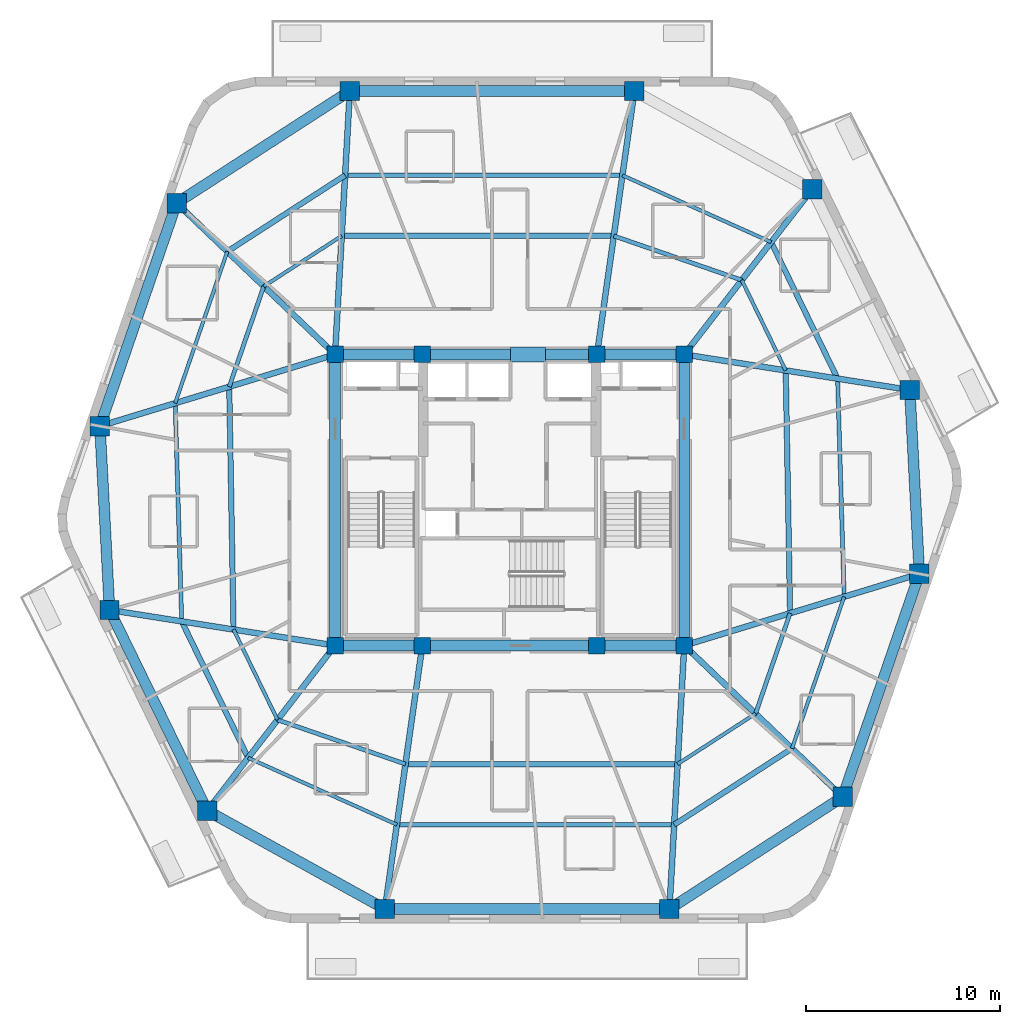
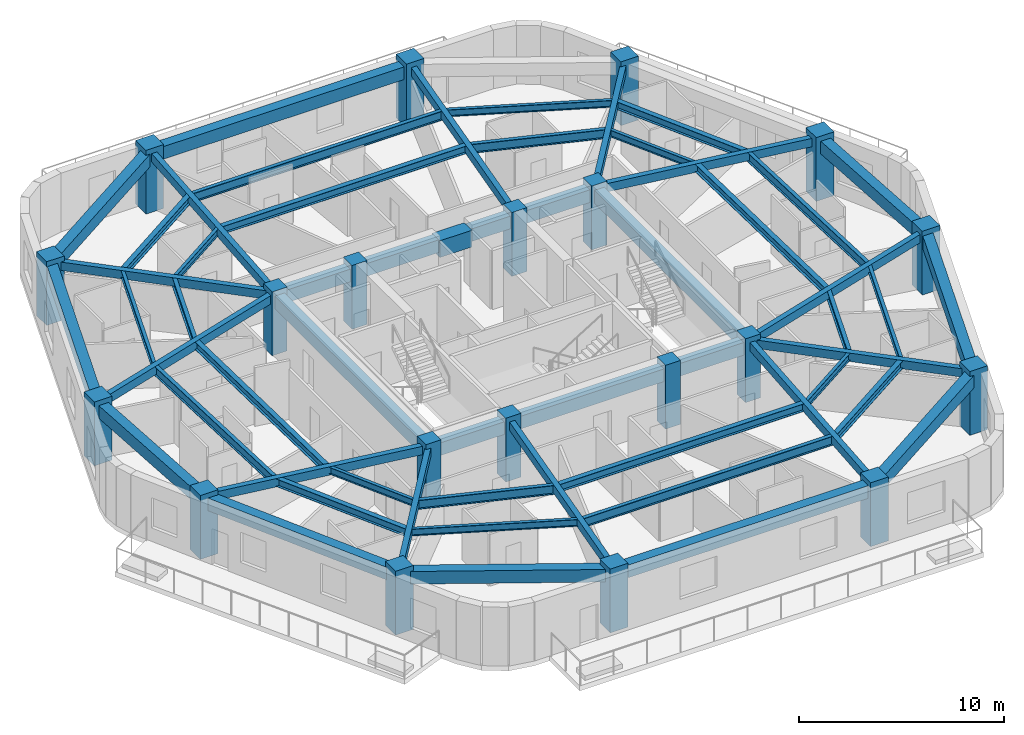
# One storey, part 1 of 10: 55 beams, 20 columns.
"""IFC4 building model written with IfcOpenShell, lengths in metres."""

from ifc_helpers import new_model, si_unit, direction, frame, origin, origin_2d, place, context, subcontext, project, spatial, rectangle, i_section, extrude, material, material_profile, profile_set, type_object, element, save


model = new_model("IFC4")

# Units and contexts
model_context = context("Model", 3, precision=1e-05, world=origin(), true_north=direction((0.0, 1.0)))
body_context = subcontext(model_context, "Body", "Model", "MODEL_VIEW")
ifc_project = project(units=[si_unit("LENGTHUNIT", "METRE"), si_unit("AREAUNIT", "SQUARE_METRE"), si_unit("VOLUMEUNIT", "CUBIC_METRE"), si_unit("PLANEANGLEUNIT", "RADIAN"), si_unit("MASSUNIT", "GRAM", prefix="KILO")], contexts=[model_context])

# Site, building, storey
site_placement = place(None, origin())
site = spatial("IfcSite", under=ifc_project, at=site_placement, CompositionType="ELEMENT")
building_placement = place(site_placement, origin())
building = spatial("IfcBuilding", under=site, at=building_placement, Name="Kilnhurst Terrace Hotel", CompositionType="ELEMENT")
storey_placement = place(building_placement, frame((0.0, 0.0, 248.300048828125)))
storey = spatial("IfcBuildingStorey", under=building, at=storey_placement, Name="L62", CompositionType="ELEMENT", Elevation=248.300048828125)

# Columns
ifc_material_1 = material(Name="Concrete C60/75", Category="concrete")
ifc_material_profile_1 = material_profile(ifc_material_1, rectangle(XDim=1.0, YDim=1.0, at=origin_2d()), Name="RC1000X1000")
ifc_profile_set_1 = profile_set([ifc_material_profile_1], Name="Concrete C60/75")
column_type_1 = type_object("IfcColumnType", Name="COL-RC-1000", PredefinedType="COLUMN", material=ifc_profile_set_1)
for number, where, z_axis, x_axis, name in (
    (1, (-6.429931640625, -21.080078125, 0.0), (0.0, 0.0, 1.0), (1.0, 0.0, 0.0), "L62 Structural Column PC-F11"),
    (2, (8.236083984375, -21.080078125, 0.0), (0.0, 0.0, 1.0), (1.0, 0.0, 0.0), "L62 Structural Column PC-F12"),
    (3, (17.166015625, -15.303955078125, 0.0), (0.0, 0.0, 1.0), (1.0, 0.0, 0.0), "L62 Structural Column PC-F21"),
    (4, (21.117919921875, -3.806884765625, 0.0), (0.0, 0.0, 1.0), (1.0, 0.0, 0.0), "L62 Structural Column PC-F22"),
    (5, (20.6220703125, 5.669921875, 0.0), (0.0, 0.0, 1.0), (1.0, 0.0, 0.0), "L62 Structural Column PC-F31"),
    (6, (15.5869140625, 16.012939453125, 0.0), (0.0, 0.0, 1.0), (1.0, 0.0, 0.0), "L62 Structural Column PC-F32"),
    (7, (6.429931640625, 21.080078125, 0.0), (0.0, 0.0, 1.0), (1.0, 0.0, 0.0), "L62 Structural Column PC-F41"),
    (8, (-8.236083984375, 21.080078125, 0.0), (0.0, 0.0, 1.0), (1.0, 0.0, 0.0), "L62 Structural Column PC-F42"),
    (9, (-17.166015625, 15.303955078125, 0.0), (0.0, 0.0, 1.0), (1.0, 0.0, 0.0), "L62 Structural Column PC-F51"),
    (10, (-21.117919921875, 3.806884765625, 0.0), (0.0, 0.0, 1.0), (1.0, 0.0, 0.0), "L62 Structural Column PC-F52"),
    (11, (-20.6220703125, -5.669921875, 0.0), (0.0, 0.0, 1.0), (1.0, 0.0, 0.0), "L62 Structural Column PC-F61"),
    (12, (-15.5869140625, -16.012939453125, 0.0), (0.0, 0.0, 1.0), (1.0, 0.0, 0.0), "L62 Structural Column PC-F62"),
):
    element("IfcColumn", number, at=place(storey_placement, frame(where, z_axis=z_axis, x_axis=x_axis)), inside=storey, type_object=column_type_1, Name=name, PredefinedType="COLUMN", context=body_context, shape_type="SweptSolid", body=[
        extrude(rectangle(XDim=1.0, YDim=1.0, at=origin_2d()), origin(), (0.0, 0.0, 1.0), 3.800048828125),
    ])
ifc_material_profile_2 = material_profile(ifc_material_1, rectangle(XDim=0.85009765625, YDim=0.85009765625, at=origin_2d()), Name="RC850X850")
ifc_profile_set_2 = profile_set([ifc_material_profile_2], Name="Concrete C60/75")
column_type_2 = type_object("IfcColumnType", Name="COL-RC-850", PredefinedType="COLUMN", material=ifc_profile_set_2)
for number, where, z_axis, x_axis, name in (
    (13, (-9.0, -7.5, 0.0), (0.0, 0.0, 1.0), (1.0, 0.0, 0.0), "L62 Structural Column CC-SW"),
    (14, (-4.5, -7.5, 0.0), (0.0, 0.0, 1.0), (1.0, 0.0, 0.0), "L62 Structural Column CC-SC1"),
    (15, (4.5, -7.5, 0.0), (0.0, 0.0, 1.0), (1.0, 0.0, 0.0), "L62 Structural Column CC-SC2"),
    (16, (9.0, -7.5, 0.0), (0.0, 0.0, 1.0), (1.0, 0.0, 0.0), "L62 Structural Column CC-SE"),
    (17, (9.0, 7.5, 0.0), (0.0, 0.0, 1.0), (1.0, 0.0, 0.0), "L62 Structural Column CC-NE"),
    (18, (4.5, 7.5, 0.0), (0.0, 0.0, 1.0), (1.0, 0.0, 0.0), "L62 Structural Column CC-NC2"),
    (19, (-4.5, 7.5, 0.0), (0.0, 0.0, 1.0), (1.0, 0.0, 0.0), "L62 Structural Column CC-NC1"),
    (20, (-9.0, 7.5, 0.0), (0.0, 0.0, 1.0), (1.0, 0.0, 0.0), "L62 Structural Column CC-NW"),
):
    element("IfcColumn", number, at=place(storey_placement, frame(where, z_axis=z_axis, x_axis=x_axis)), inside=storey, type_object=column_type_2, Name=name, PredefinedType="COLUMN", context=body_context, shape_type="SweptSolid", body=[
        extrude(rectangle(XDim=0.85009765625, YDim=0.85009765625, at=origin_2d()), origin(), (0.0, 0.0, 1.0), 3.800048828125),
    ])

# Beams
ifc_material_2 = material(Name="Concrete C50/60", Category="concrete")
ifc_material_profile_3 = material_profile(ifc_material_2, rectangle(XDim=0.300048828125, YDim=0.5, at=origin_2d()), Name="RC300X500")
ifc_profile_set_3 = profile_set([ifc_material_profile_3], Name="Concrete C50/60")
beam_type_1 = type_object("IfcBeamType", Name="BM-RAD-300X500", PredefinedType="BEAM", material=ifc_profile_set_3)
beam_1_placement = place(storey_placement, frame((-4.5, -7.5, 3.25), z_axis=(-0.140701170889, -0.990052109997, 0.0), x_axis=(0.990052109997, -0.140701170889, 0.0)))
element("IfcBeam", 21, at=beam_1_placement, inside=storey, type_object=beam_type_1, Name="L62 Radial Floor Beam 1", PredefinedType="BEAM", context=body_context, shape_type="SweptSolid", body=[
    extrude(rectangle(XDim=0.300048828125, YDim=0.5, at=origin_2d()), origin(), (0.0, 0.0, 1.0), 13.716552734375),
])
beam_2_placement = place(storey_placement, frame((9.0, -7.5, 3.25), z_axis=(-0.056163905291, -0.998421562138, 0.0), x_axis=(0.998421562138, -0.056163905291, 0.0)))
element("IfcBeam", 22, at=beam_2_placement, inside=storey, type_object=beam_type_1, Name="L62 Radial Floor Beam 2", PredefinedType="BEAM", context=body_context, shape_type="SweptSolid", body=[
    extrude(rectangle(XDim=0.300048828125, YDim=0.5, at=origin_2d()), origin(), (0.0, 0.0, 1.0), 13.6015625),
])
beam_3_placement = place(storey_placement, frame((9.0, -7.5, 3.25), z_axis=(0.722952064528, -0.690898192497, 0.0), x_axis=(0.690898192497, 0.722952064528, 0.0)))
element("IfcBeam", 23, at=beam_3_placement, inside=storey, type_object=beam_type_1, Name="L62 Radial Floor Beam 3", PredefinedType="BEAM", context=body_context, shape_type="SweptSolid", body=[
    extrude(rectangle(XDim=0.300048828125, YDim=0.5, at=origin_2d()), origin(), (0.0, 0.0, 1.0), 11.29541015625),
])
beam_4_placement = place(storey_placement, frame((9.0, -7.5, 3.25), z_axis=(0.956562713724, 0.291526627793, 0.0), x_axis=(-0.291526627793, 0.956562713724, 0.0)))
element("IfcBeam", 24, at=beam_4_placement, inside=storey, type_object=beam_type_1, Name="L62 Radial Floor Beam 4", PredefinedType="BEAM", context=body_context, shape_type="SweptSolid", body=[
    extrude(rectangle(XDim=0.300048828125, YDim=0.5, at=origin_2d()), origin(), (0.0, 0.0, 1.0), 12.668212890625),
])
beam_5_placement = place(storey_placement, frame((9.0, 7.5, 3.25), z_axis=(0.987828160163, -0.155549111179, 0.0), x_axis=(0.155549111179, 0.987828160163, 0.0)))
element("IfcBeam", 25, at=beam_5_placement, inside=storey, type_object=beam_type_1, Name="L62 Radial Floor Beam 5", PredefinedType="BEAM", context=body_context, shape_type="SweptSolid", body=[
    extrude(rectangle(XDim=0.300048828125, YDim=0.5, at=origin_2d()), origin(), (0.0, 0.0, 1.0), 11.765380859375),
])
beam_6_placement = place(storey_placement, frame((9.0, 7.5, 3.25), z_axis=(0.611955412533, 0.790892263884, 0.0), x_axis=(-0.790892263884, 0.611955412533, 0.0)))
element("IfcBeam", 26, at=beam_6_placement, inside=storey, type_object=beam_type_1, Name="L62 Radial Floor Beam 6", PredefinedType="BEAM", context=body_context, shape_type="SweptSolid", body=[
    extrude(rectangle(XDim=0.300048828125, YDim=0.5, at=origin_2d()), origin(), (0.0, 0.0, 1.0), 10.763671875),
])
beam_7_placement = place(storey_placement, frame((4.5, 7.5, 3.25), z_axis=(0.140701170889, 0.990052109997, 0.0), x_axis=(-0.990052109997, 0.140701170889, 0.0)))
element("IfcBeam", 27, at=beam_7_placement, inside=storey, type_object=beam_type_1, Name="L62 Radial Floor Beam 7", PredefinedType="BEAM", context=body_context, shape_type="SweptSolid", body=[
    extrude(rectangle(XDim=0.300048828125, YDim=0.5, at=origin_2d()), origin(), (0.0, 0.0, 1.0), 13.716552734375),
])
beam_8_placement = place(storey_placement, frame((-9.0, 7.5, 3.25), z_axis=(0.056163905291, 0.998421562138, 0.0), x_axis=(-0.998421562138, 0.056163905291, 0.0)))
element("IfcBeam", 28, at=beam_8_placement, inside=storey, type_object=beam_type_1, Name="L62 Radial Floor Beam 8", PredefinedType="BEAM", context=body_context, shape_type="SweptSolid", body=[
    extrude(rectangle(XDim=0.300048828125, YDim=0.5, at=origin_2d()), origin(), (0.0, 0.0, 1.0), 13.6015625),
])
beam_9_placement = place(storey_placement, frame((-9.0, 7.5, 3.25), z_axis=(-0.722952064528, 0.690898192497, 0.0), x_axis=(-0.690898192497, -0.722952064528, 0.0)))
element("IfcBeam", 29, at=beam_9_placement, inside=storey, type_object=beam_type_1, Name="L62 Radial Floor Beam 9", PredefinedType="BEAM", context=body_context, shape_type="SweptSolid", body=[
    extrude(rectangle(XDim=0.300048828125, YDim=0.5, at=origin_2d()), origin(), (0.0, 0.0, 1.0), 11.29541015625),
])
beam_10_placement = place(storey_placement, frame((-9.0, 7.5, 3.25), z_axis=(-0.956562713724, -0.291526627793, 0.0), x_axis=(0.291526627793, -0.956562713724, 0.0)))
element("IfcBeam", 30, at=beam_10_placement, inside=storey, type_object=beam_type_1, Name="L62 Radial Floor Beam 10", PredefinedType="BEAM", context=body_context, shape_type="SweptSolid", body=[
    extrude(rectangle(XDim=0.300048828125, YDim=0.5, at=origin_2d()), origin(), (0.0, 0.0, 1.0), 12.668212890625),
])
beam_11_placement = place(storey_placement, frame((-9.0, -7.5, 3.25), z_axis=(-0.987828160163, 0.155549111179, 0.0), x_axis=(-0.155549111179, -0.987828160163, 0.0)))
element("IfcBeam", 31, at=beam_11_placement, inside=storey, type_object=beam_type_1, Name="L62 Radial Floor Beam 11", PredefinedType="BEAM", context=body_context, shape_type="SweptSolid", body=[
    extrude(rectangle(XDim=0.300048828125, YDim=0.5, at=origin_2d()), origin(), (0.0, 0.0, 1.0), 11.765380859375),
])
beam_12_placement = place(storey_placement, frame((-9.0, -7.5, 3.25), z_axis=(-0.611955412533, -0.790892263884, 0.0), x_axis=(0.790892263884, -0.611955412533, 0.0)))
element("IfcBeam", 32, at=beam_12_placement, inside=storey, type_object=beam_type_1, Name="L62 Radial Floor Beam 12", PredefinedType="BEAM", context=body_context, shape_type="SweptSolid", body=[
    extrude(rectangle(XDim=0.300048828125, YDim=0.5, at=origin_2d()), origin(), (0.0, 0.0, 1.0), 10.763671875),
])
ifc_material_profile_4 = material_profile(ifc_material_2, rectangle(XDim=0.550048828125, YDim=0.75, at=origin_2d()), Name="RC550X750")
ifc_profile_set_4 = profile_set([ifc_material_profile_4], Name="Concrete C50/60")
beam_type_2 = type_object("IfcBeamType", Name="BM-SPN-550X750", PredefinedType="SPANDREL", material=ifc_profile_set_4)
beam_13_placement = place(storey_placement, frame((-9.0, 7.5, 3.125), z_axis=(1.0, 0.0, 0.0), x_axis=(0.0, 1.0, 0.0)))
element("IfcBeam", 33, at=beam_13_placement, inside=storey, type_object=beam_type_2, Name="L62 Core Tie Beam CC-NW to CC-NC1", PredefinedType="SPANDREL", context=body_context, shape_type="SweptSolid", body=[
    extrude(rectangle(XDim=0.550048828125, YDim=0.75, at=origin_2d()), origin(), (0.0, 0.0, 1.0), 4.5),
])
beam_14_placement = place(storey_placement, frame((-4.5, 7.5, 3.125), z_axis=(1.0, 0.0, 0.0), x_axis=(0.0, 1.0, 0.0)))
element("IfcBeam", 34, at=beam_14_placement, inside=storey, type_object=beam_type_2, Name="L62 Core Tie Beam CC-NC1 to CC-NC2", PredefinedType="SPANDREL", context=body_context, shape_type="SweptSolid", body=[
    extrude(rectangle(XDim=0.550048828125, YDim=0.75, at=origin_2d()), origin(), (0.0, 0.0, 1.0), 9.0),
])
for number, where, z_axis, x_axis, name in (
    (35, (4.5, 7.5, 3.125), (1.0, 0.0, 0.0), (0.0, 1.0, 0.0), "L62 Core Tie Beam CC-NC2 to CC-NE"),
    (36, (-9.0, -7.5, 3.125), (1.0, 0.0, 0.0), (0.0, 1.0, 0.0), "L62 Core Tie Beam CC-SW to CC-SC1"),
):
    element("IfcBeam", number, at=place(storey_placement, frame(where, z_axis=z_axis, x_axis=x_axis)), inside=storey, type_object=beam_type_2, Name=name, PredefinedType="SPANDREL", context=body_context, shape_type="SweptSolid", body=[
        extrude(rectangle(XDim=0.550048828125, YDim=0.75, at=origin_2d()), origin(), (0.0, 0.0, 1.0), 4.5),
    ])
beam_15_placement = place(storey_placement, frame((-4.5, -7.5, 3.125), z_axis=(1.0, 0.0, 0.0), x_axis=(0.0, 1.0, 0.0)))
element("IfcBeam", 37, at=beam_15_placement, inside=storey, type_object=beam_type_2, Name="L62 Core Tie Beam CC-SC1 to CC-SC2", PredefinedType="SPANDREL", context=body_context, shape_type="SweptSolid", body=[
    extrude(rectangle(XDim=0.550048828125, YDim=0.75, at=origin_2d()), origin(), (0.0, 0.0, 1.0), 9.0),
])
beam_16_placement = place(storey_placement, frame((4.5, -7.5, 3.125), z_axis=(1.0, 0.0, 0.0), x_axis=(0.0, 1.0, 0.0)))
element("IfcBeam", 38, at=beam_16_placement, inside=storey, type_object=beam_type_2, Name="L62 Core Tie Beam CC-SC2 to CC-SE", PredefinedType="SPANDREL", context=body_context, shape_type="SweptSolid", body=[
    extrude(rectangle(XDim=0.550048828125, YDim=0.75, at=origin_2d()), origin(), (0.0, 0.0, 1.0), 4.5),
])
for number, where, z_axis, x_axis, name in (
    (39, (-9.0, -7.5, 3.125), (0.0, 1.0, 0.0), (-1.0, 0.0, 0.0), "L62 Core Tie Beam CC-SW to CC-NW"),
    (40, (9.0, -7.5, 3.125), (0.0, 1.0, 0.0), (-1.0, 0.0, 0.0), "L62 Core Tie Beam CC-SE to CC-NE"),
):
    element("IfcBeam", number, at=place(storey_placement, frame(where, z_axis=z_axis, x_axis=x_axis)), inside=storey, type_object=beam_type_2, Name=name, PredefinedType="SPANDREL", context=body_context, shape_type="SweptSolid", body=[
        extrude(rectangle(XDim=0.550048828125, YDim=0.75, at=origin_2d()), origin(), (0.0, 0.0, 1.0), 15.0),
    ])
beam_17_placement = place(storey_placement, frame((-6.429931640625, -21.080078125, 3.125), z_axis=(1.0, 0.0, 0.0), x_axis=(0.0, 1.0, 0.0)))
element("IfcBeam", 41, at=beam_17_placement, inside=storey, type_object=beam_type_2, Name="L62 Perimeter Spandrel Beam 1", PredefinedType="SPANDREL", context=body_context, shape_type="SweptSolid", body=[
    extrude(rectangle(XDim=0.550048828125, YDim=0.75, at=origin_2d()), origin(), (0.0, 0.0, 1.0), 14.666015625),
])
beam_18_placement = place(storey_placement, frame((8.236083984375, -21.080078125, 3.125), z_axis=(0.839658834217, 0.543114207254, 0.0), x_axis=(-0.543114207254, 0.839658834217, 0.0)))
element("IfcBeam", 42, at=beam_18_placement, inside=storey, type_object=beam_type_2, Name="L62 Perimeter Spandrel Beam 2", PredefinedType="SPANDREL", context=body_context, shape_type="SweptSolid", body=[
    extrude(rectangle(XDim=0.550048828125, YDim=0.75, at=origin_2d()), origin(), (0.0, 0.0, 1.0), 10.63525390625),
])
beam_19_placement = place(storey_placement, frame((17.166015625, -15.303955078125, 3.125), z_axis=(0.325064053802, 0.94569200109, 0.0), x_axis=(-0.94569200109, 0.325064053802, 0.0)))
element("IfcBeam", 43, at=beam_19_placement, inside=storey, type_object=beam_type_2, Name="L62 Perimeter Spandrel Beam 3", PredefinedType="SPANDREL", context=body_context, shape_type="SweptSolid", body=[
    extrude(rectangle(XDim=0.550048828125, YDim=0.75, at=origin_2d()), origin(), (0.0, 0.0, 1.0), 12.1572265625),
])
beam_20_placement = place(storey_placement, frame((21.117919921875, -3.806884765625, 3.125), z_axis=(-0.052250962837, 0.998633985443, 0.0), x_axis=(-0.998633985443, -0.052250962837, 0.0)))
element("IfcBeam", 44, at=beam_20_placement, inside=storey, type_object=beam_type_2, Name="L62 Perimeter Spandrel Beam 4", PredefinedType="SPANDREL", context=body_context, shape_type="SweptSolid", body=[
    extrude(rectangle(XDim=0.550048828125, YDim=0.75, at=origin_2d()), origin(), (0.0, 0.0, 1.0), 9.48974609375),
])
beam_21_placement = place(storey_placement, frame((6.429931640625, 21.080078125, 3.125), z_axis=(-1.0, 0.0, 0.0), x_axis=(0.0, -1.0, 0.0)))
element("IfcBeam", 45, at=beam_21_placement, inside=storey, type_object=beam_type_2, Name="L62 Perimeter Spandrel Beam 7", PredefinedType="SPANDREL", context=body_context, shape_type="SweptSolid", body=[
    extrude(rectangle(XDim=0.550048828125, YDim=0.75, at=origin_2d()), origin(), (0.0, 0.0, 1.0), 14.666015625),
])
beam_22_placement = place(storey_placement, frame((-8.236083984375, 21.080078125, 3.125), z_axis=(-0.839658834217, -0.543114207254, 0.0), x_axis=(0.543114207254, -0.839658834217, 0.0)))
element("IfcBeam", 46, at=beam_22_placement, inside=storey, type_object=beam_type_2, Name="L62 Perimeter Spandrel Beam 8", PredefinedType="SPANDREL", context=body_context, shape_type="SweptSolid", body=[
    extrude(rectangle(XDim=0.550048828125, YDim=0.75, at=origin_2d()), origin(), (0.0, 0.0, 1.0), 10.63525390625),
])
beam_23_placement = place(storey_placement, frame((-17.166015625, 15.303955078125, 3.125), z_axis=(-0.325064053802, -0.94569200109, 0.0), x_axis=(0.94569200109, -0.325064053802, 0.0)))
element("IfcBeam", 47, at=beam_23_placement, inside=storey, type_object=beam_type_2, Name="L62 Perimeter Spandrel Beam 9", PredefinedType="SPANDREL", context=body_context, shape_type="SweptSolid", body=[
    extrude(rectangle(XDim=0.550048828125, YDim=0.75, at=origin_2d()), origin(), (0.0, 0.0, 1.0), 12.1572265625),
])
beam_24_placement = place(storey_placement, frame((-21.117919921875, 3.806884765625, 3.125), z_axis=(0.052250962837, -0.998633985443, 0.0), x_axis=(0.998633985443, 0.052250962837, 0.0)))
element("IfcBeam", 48, at=beam_24_placement, inside=storey, type_object=beam_type_2, Name="L62 Perimeter Spandrel Beam 10", PredefinedType="SPANDREL", context=body_context, shape_type="SweptSolid", body=[
    extrude(rectangle(XDim=0.550048828125, YDim=0.75, at=origin_2d()), origin(), (0.0, 0.0, 1.0), 9.48974609375),
])
beam_25_placement = place(storey_placement, frame((-20.6220703125, -5.669921875, 3.125), z_axis=(0.437705964683, -0.899118172701, 0.0), x_axis=(0.899118172701, 0.437705964683, 0.0)))
element("IfcBeam", 49, at=beam_25_placement, inside=storey, type_object=beam_type_2, Name="L62 Perimeter Spandrel Beam 11", PredefinedType="SPANDREL", context=body_context, shape_type="SweptSolid", body=[
    extrude(rectangle(XDim=0.550048828125, YDim=0.75, at=origin_2d()), origin(), (0.0, 0.0, 1.0), 11.50341796875),
])
beam_26_placement = place(storey_placement, frame((-15.5869140625, -16.012939453125, 3.125), z_axis=(0.874970333121, -0.484176534085, 0.0), x_axis=(0.484176534085, 0.874970333121, 0.0)))
element("IfcBeam", 50, at=beam_26_placement, inside=storey, type_object=beam_type_2, Name="L62 Perimeter Spandrel Beam 12", PredefinedType="SPANDREL", context=body_context, shape_type="SweptSolid", body=[
    extrude(rectangle(XDim=0.550048828125, YDim=0.75, at=origin_2d()), origin(), (0.0, 0.0, 1.0), 10.465576171875),
])
ifc_material_3 = material(Name="Steel ASTM A992 Grade 50", Category="steel")
ifc_material_profile_5 = material_profile(ifc_material_3, i_section(OverallWidth=0.180908203125, OverallDepth=0.417236328125, WebThickness=0.010986328125, FlangeThickness=0.018310546875, at=origin_2d()), Name="W16X57")
ifc_profile_set_5 = profile_set([ifc_material_profile_5], Name="Steel ASTM A992 Grade 50")
beam_type_3 = type_object("IfcBeamType", Name="JST-STL-W16X57", PredefinedType="JOIST", material=ifc_profile_set_5)
beam_27_placement = place(storey_placement, frame((14.552978515625, -12.806640625, 3.291015625), z_axis=(0.325064911916, 0.945691706129, 0.0), x_axis=(-0.945691706129, 0.325064911916, 0.0)))
element("IfcBeam", 51, at=beam_27_placement, inside=storey, type_object=beam_type_3, Name="L62 Secondary Floor Steel Joist OUT.3", PredefinedType="JOIST", context=body_context, shape_type="SweptSolid", body=[
    extrude(i_section(OverallWidth=0.180908203125, OverallDepth=0.417236328125, WebThickness=0.010986328125, FlangeThickness=0.018310546875, at=origin_2d()), origin(), (0.0, 0.0, 1.0), 8.266845703125),
])
beam_28_placement = place(storey_placement, frame((13.479248046875, 13.288818359375, 3.291015625), z_axis=(-0.912120852375, 0.409921395713, 0.0), x_axis=(-0.409921395713, -0.912120852375, 0.0)))
element("IfcBeam", 52, at=beam_28_placement, inside=storey, type_object=beam_type_3, Name="L62 Secondary Floor Steel Joist OUT.6", PredefinedType="JOIST", context=body_context, shape_type="SweptSolid", body=[
    extrude(i_section(OverallWidth=0.180908203125, OverallDepth=0.417236328125, WebThickness=0.010986328125, FlangeThickness=0.018310546875, at=origin_2d()), origin(), (0.0, 0.0, 1.0), 8.405517578125),
])
beam_29_placement = place(storey_placement, frame((-14.552978515625, 12.806640625, 3.291015625), z_axis=(-0.325064911916, -0.945691706129, 0.0), x_axis=(0.945691706129, -0.325064911916, 0.0)))
element("IfcBeam", 53, at=beam_29_placement, inside=storey, type_object=beam_type_3, Name="L62 Secondary Floor Steel Joist OUT.9", PredefinedType="JOIST", context=body_context, shape_type="SweptSolid", body=[
    extrude(i_section(OverallWidth=0.180908203125, OverallDepth=0.417236328125, WebThickness=0.010986328125, FlangeThickness=0.018310546875, at=origin_2d()), origin(), (0.0, 0.0, 1.0), 8.266845703125),
])
beam_30_placement = place(storey_placement, frame((-13.479248046875, -13.288818359375, 3.291015625), z_axis=(0.912120852375, -0.409921395713, 0.0), x_axis=(0.409921395713, 0.912120852375, 0.0)))
element("IfcBeam", 54, at=beam_30_placement, inside=storey, type_object=beam_type_3, Name="L62 Secondary Floor Steel Joist OUT.12", PredefinedType="JOIST", context=body_context, shape_type="SweptSolid", body=[
    extrude(i_section(OverallWidth=0.180908203125, OverallDepth=0.417236328125, WebThickness=0.010986328125, FlangeThickness=0.018310546875, at=origin_2d()), origin(), (0.0, 0.0, 1.0), 8.405517578125),
])
beam_31_placement = place(storey_placement, frame((8.65625, -13.611083984375, 3.291015625), z_axis=(0.839653632344, 0.543122249306, 0.0), x_axis=(-0.543122249306, 0.839653632344, 0.0)))
element("IfcBeam", 55, at=beam_31_placement, inside=storey, type_object=beam_type_3, Name="L62 Secondary Floor Steel Joist IN.2", PredefinedType="JOIST", context=body_context, shape_type="SweptSolid", body=[
    extrude(i_section(OverallWidth=0.180908203125, OverallDepth=0.417236328125, WebThickness=0.010986328125, FlangeThickness=0.018310546875, at=origin_2d()), origin(), (0.0, 0.0, 1.0), 4.785888671875),
])
beam_32_placement = place(storey_placement, frame((14.22998046875, 6.676513671875, 3.291015625), z_axis=(-0.437718230281, 0.899112201496, 0.0), x_axis=(-0.899112201496, -0.437718230281, 0.0)))
element("IfcBeam", 56, at=beam_32_placement, inside=storey, type_object=beam_type_3, Name="L62 Secondary Floor Steel Joist IN.5", PredefinedType="JOIST", context=body_context, shape_type="SweptSolid", body=[
    extrude(i_section(OverallWidth=0.180908203125, OverallDepth=0.417236328125, WebThickness=0.010986328125, FlangeThickness=0.018310546875, at=origin_2d()), origin(), (0.0, 0.0, 1.0), 5.176513671875),
])
beam_33_placement = place(storey_placement, frame((-8.65625, 13.611083984375, 3.291015625), z_axis=(-0.839653632344, -0.543122249306, 0.0), x_axis=(0.543122249306, -0.839653632344, 0.0)))
element("IfcBeam", 57, at=beam_33_placement, inside=storey, type_object=beam_type_3, Name="L62 Secondary Floor Steel Joist IN.8", PredefinedType="JOIST", context=body_context, shape_type="SweptSolid", body=[
    extrude(i_section(OverallWidth=0.180908203125, OverallDepth=0.417236328125, WebThickness=0.010986328125, FlangeThickness=0.018310546875, at=origin_2d()), origin(), (0.0, 0.0, 1.0), 4.785888671875),
])
beam_34_placement = place(storey_placement, frame((-14.22998046875, -6.676513671875, 3.291015625), z_axis=(0.437718230281, -0.899112201496, 0.0), x_axis=(0.899112201496, 0.437718230281, 0.0)))
element("IfcBeam", 58, at=beam_34_placement, inside=storey, type_object=beam_type_3, Name="L62 Secondary Floor Steel Joist IN.11", PredefinedType="JOIST", context=body_context, shape_type="SweptSolid", body=[
    extrude(i_section(OverallWidth=0.180908203125, OverallDepth=0.417236328125, WebThickness=0.010986328125, FlangeThickness=0.018310546875, at=origin_2d()), origin(), (0.0, 0.0, 1.0), 5.176513671875),
])
ifc_material_profile_6 = material_profile(ifc_material_3, i_section(OverallWidth=0.279296875, OverallDepth=0.462890625, WebThickness=0.0107421875, FlangeThickness=0.017333984375, at=origin_2d()), Name="W18X76")
ifc_profile_set_6 = profile_set([ifc_material_profile_6], Name="Steel ASTM A992 Grade 50")
beam_type_4 = type_object("IfcBeamType", Name="JST-STL-W18X76", PredefinedType="JOIST", material=ifc_profile_set_6)
beam_35_placement = place(storey_placement, frame((8.48046875, -16.734375, 3.26806640625), z_axis=(0.839667054453, 0.543101498494, 0.0), x_axis=(-0.543101498494, 0.839667054453, 0.0)))
element("IfcBeam", 59, at=beam_35_placement, inside=storey, type_object=beam_type_4, Name="L62 Secondary Floor Steel Joist OUT.2", PredefinedType="JOIST", context=body_context, shape_type="SweptSolid", body=[
    extrude(i_section(OverallWidth=0.279296875, OverallDepth=0.462890625, WebThickness=0.0107421875, FlangeThickness=0.017333984375, at=origin_2d()), origin(), (0.0, 0.0, 1.0), 7.23193359375),
])
beam_36_placement = place(storey_placement, frame((16.903076171875, 6.255615234375, 3.26806640625), z_axis=(-0.437700347277, 0.899120907328, 0.0), x_axis=(-0.899120907328, -0.437700347277, 0.0)))
element("IfcBeam", 60, at=beam_36_placement, inside=storey, type_object=beam_type_4, Name="L62 Secondary Floor Steel Joist OUT.5", PredefinedType="JOIST", context=body_context, shape_type="SweptSolid", body=[
    extrude(i_section(OverallWidth=0.279296875, OverallDepth=0.462890625, WebThickness=0.0107421875, FlangeThickness=0.017333984375, at=origin_2d()), origin(), (0.0, 0.0, 1.0), 7.822265625),
])
beam_37_placement = place(storey_placement, frame((-8.48046875, 16.734375, 3.26806640625), z_axis=(-0.839667054453, -0.543101498494, 0.0), x_axis=(0.543101498494, -0.839667054453, 0.0)))
element("IfcBeam", 61, at=beam_37_placement, inside=storey, type_object=beam_type_4, Name="L62 Secondary Floor Steel Joist OUT.8", PredefinedType="JOIST", context=body_context, shape_type="SweptSolid", body=[
    extrude(i_section(OverallWidth=0.279296875, OverallDepth=0.462890625, WebThickness=0.0107421875, FlangeThickness=0.017333984375, at=origin_2d()), origin(), (0.0, 0.0, 1.0), 7.23193359375),
])
beam_38_placement = place(storey_placement, frame((-16.903076171875, -6.255615234375, 3.26806640625), z_axis=(0.437700347277, -0.899120907328, 0.0), x_axis=(0.899120907328, 0.437700347277, 0.0)))
element("IfcBeam", 62, at=beam_38_placement, inside=storey, type_object=beam_type_4, Name="L62 Secondary Floor Steel Joist OUT.11", PredefinedType="JOIST", context=body_context, shape_type="SweptSolid", body=[
    extrude(i_section(OverallWidth=0.279296875, OverallDepth=0.462890625, WebThickness=0.0107421875, FlangeThickness=0.017333984375, at=origin_2d()), origin(), (0.0, 0.0, 1.0), 7.822265625),
])
beam_39_placement = place(storey_placement, frame((-5.368408203125, -13.611083984375, 3.26806640625), z_axis=(1.0, 0.0, 0.0), x_axis=(0.0, 1.0, 0.0)))
element("IfcBeam", 63, at=beam_39_placement, inside=storey, type_object=beam_type_4, Name="L62 Secondary Floor Steel Joist IN.1", PredefinedType="JOIST", context=body_context, shape_type="SweptSolid", body=[
    extrude(i_section(OverallWidth=0.279296875, OverallDepth=0.462890625, WebThickness=0.0107421875, FlangeThickness=0.017333984375, at=origin_2d()), origin(), (0.0, 0.0, 1.0), 14.024658203125),
])
beam_40_placement = place(storey_placement, frame((14.453125, -5.838134765625, 3.26806640625), z_axis=(-0.017827833387, 0.999841071549, 0.0), x_axis=(-0.999841071549, -0.017827833387, 0.0)))
element("IfcBeam", 64, at=beam_40_placement, inside=storey, type_object=beam_type_4, Name="L62 Secondary Floor Steel Joist IN.4", PredefinedType="JOIST", context=body_context, shape_type="SweptSolid", body=[
    extrude(i_section(OverallWidth=0.279296875, OverallDepth=0.462890625, WebThickness=0.0107421875, FlangeThickness=0.017333984375, at=origin_2d()), origin(), (0.0, 0.0, 1.0), 12.5166015625),
])
beam_41_placement = place(storey_placement, frame((5.368408203125, 13.611083984375, 3.26806640625), z_axis=(-1.0, 0.0, 0.0), x_axis=(0.0, -1.0, 0.0)))
element("IfcBeam", 65, at=beam_41_placement, inside=storey, type_object=beam_type_4, Name="L62 Secondary Floor Steel Joist IN.7", PredefinedType="JOIST", context=body_context, shape_type="SweptSolid", body=[
    extrude(i_section(OverallWidth=0.279296875, OverallDepth=0.462890625, WebThickness=0.0107421875, FlangeThickness=0.017333984375, at=origin_2d()), origin(), (0.0, 0.0, 1.0), 14.024658203125),
])
beam_42_placement = place(storey_placement, frame((-14.453125, 5.838134765625, 3.26806640625), z_axis=(0.017827833387, -0.999841071549, 0.0), x_axis=(0.999841071549, 0.017827833387, 0.0)))
element("IfcBeam", 66, at=beam_42_placement, inside=storey, type_object=beam_type_4, Name="L62 Secondary Floor Steel Joist IN.10", PredefinedType="JOIST", context=body_context, shape_type="SweptSolid", body=[
    extrude(i_section(OverallWidth=0.279296875, OverallDepth=0.462890625, WebThickness=0.0107421875, FlangeThickness=0.017333984375, at=origin_2d()), origin(), (0.0, 0.0, 1.0), 12.5166015625),
])
ifc_material_profile_7 = material_profile(ifc_material_3, i_section(OverallWidth=0.2138671875, OverallDepth=0.549072265625, WebThickness=0.0146484375, FlangeThickness=0.023681640625, at=origin_2d()), Name="W21X93")
ifc_profile_set_7 = profile_set([ifc_material_profile_7], Name="Steel ASTM A992 Grade 50")
beam_type_5 = type_object("IfcBeamType", Name="JST-STL-W21X93", PredefinedType="JOIST", material=ifc_profile_set_7)
beam_43_placement = place(storey_placement, frame((-5.8125, -16.734375, 3.224853515625), z_axis=(1.0, 0.0, 0.0), x_axis=(0.0, 1.0, 0.0)))
element("IfcBeam", 67, at=beam_43_placement, inside=storey, type_object=beam_type_5, Name="L62 Secondary Floor Steel Joist OUT.1", PredefinedType="JOIST", context=body_context, shape_type="SweptSolid", body=[
    extrude(i_section(OverallWidth=0.2138671875, OverallDepth=0.549072265625, WebThickness=0.0146484375, FlangeThickness=0.023681640625, at=origin_2d()), origin(), (0.0, 0.0, 1.0), 14.29296875),
])
beam_44_placement = place(storey_placement, frame((17.240234375, -4.98876953125, 3.224853515625), z_axis=(-0.029971114202, 0.999550765251, 0.0), x_axis=(-0.999550765251, -0.029971114202, 0.0)))
element("IfcBeam", 68, at=beam_44_placement, inside=storey, type_object=beam_type_5, Name="L62 Secondary Floor Steel Joist OUT.4", PredefinedType="JOIST", context=body_context, shape_type="SweptSolid", body=[
    extrude(i_section(OverallWidth=0.2138671875, OverallDepth=0.549072265625, WebThickness=0.0146484375, FlangeThickness=0.023681640625, at=origin_2d()), origin(), (0.0, 0.0, 1.0), 11.24951171875),
])
beam_45_placement = place(storey_placement, frame((5.8125, 16.734375, 3.224853515625), z_axis=(-1.0, 0.0, 0.0), x_axis=(0.0, -1.0, 0.0)))
element("IfcBeam", 69, at=beam_45_placement, inside=storey, type_object=beam_type_5, Name="L62 Secondary Floor Steel Joist OUT.7", PredefinedType="JOIST", context=body_context, shape_type="SweptSolid", body=[
    extrude(i_section(OverallWidth=0.2138671875, OverallDepth=0.549072265625, WebThickness=0.0146484375, FlangeThickness=0.023681640625, at=origin_2d()), origin(), (0.0, 0.0, 1.0), 14.29296875),
])
beam_46_placement = place(storey_placement, frame((-17.240234375, 4.98876953125, 3.224853515625), z_axis=(0.029971114202, -0.999550765251, 0.0), x_axis=(0.999550765251, 0.029971114202, 0.0)))
element("IfcBeam", 70, at=beam_46_placement, inside=storey, type_object=beam_type_5, Name="L62 Secondary Floor Steel Joist OUT.10", PredefinedType="JOIST", context=body_context, shape_type="SweptSolid", body=[
    extrude(i_section(OverallWidth=0.2138671875, OverallDepth=0.549072265625, WebThickness=0.0146484375, FlangeThickness=0.023681640625, at=origin_2d()), origin(), (0.0, 0.0, 1.0), 11.24951171875),
])
beam_47_placement = place(storey_placement, frame((12.6748046875, -11.01171875, 3.224853515625), z_axis=(0.325063554612, 0.945692172677, 0.0), x_axis=(-0.945692172677, 0.325063554612, 0.0)))
element("IfcBeam", 71, at=beam_47_placement, inside=storey, type_object=beam_type_5, Name="L62 Secondary Floor Steel Joist IN.3", PredefinedType="JOIST", context=body_context, shape_type="SweptSolid", body=[
    extrude(i_section(OverallWidth=0.2138671875, OverallDepth=0.549072265625, WebThickness=0.0146484375, FlangeThickness=0.023681640625, at=origin_2d()), origin(), (0.0, 0.0, 1.0), 5.470703125),
])
beam_48_placement = place(storey_placement, frame((11.964111328125, 11.330810546875, 3.224853515625), z_axis=(-0.94511244231, 0.326745269884, 0.0), x_axis=(-0.326745269884, -0.94511244231, 0.0)))
element("IfcBeam", 72, at=beam_48_placement, inside=storey, type_object=beam_type_5, Name="L62 Secondary Floor Steel Joist IN.6", PredefinedType="JOIST", context=body_context, shape_type="SweptSolid", body=[
    extrude(i_section(OverallWidth=0.2138671875, OverallDepth=0.549072265625, WebThickness=0.0146484375, FlangeThickness=0.023681640625, at=origin_2d()), origin(), (0.0, 0.0, 1.0), 6.978759765625),
])
beam_49_placement = place(storey_placement, frame((-12.6748046875, 11.01171875, 3.224853515625), z_axis=(-0.325063554612, -0.945692172677, 0.0), x_axis=(0.945692172677, -0.325063554612, 0.0)))
element("IfcBeam", 73, at=beam_49_placement, inside=storey, type_object=beam_type_5, Name="L62 Secondary Floor Steel Joist IN.9", PredefinedType="JOIST", context=body_context, shape_type="SweptSolid", body=[
    extrude(i_section(OverallWidth=0.2138671875, OverallDepth=0.549072265625, WebThickness=0.0146484375, FlangeThickness=0.023681640625, at=origin_2d()), origin(), (0.0, 0.0, 1.0), 5.470703125),
])
beam_50_placement = place(storey_placement, frame((-11.964111328125, -11.330810546875, 3.224853515625), z_axis=(0.94511244231, -0.326745269884, 0.0), x_axis=(0.326745269884, 0.94511244231, 0.0)))
element("IfcBeam", 74, at=beam_50_placement, inside=storey, type_object=beam_type_5, Name="L62 Secondary Floor Steel Joist IN.12", PredefinedType="JOIST", context=body_context, shape_type="SweptSolid", body=[
    extrude(i_section(OverallWidth=0.2138671875, OverallDepth=0.549072265625, WebThickness=0.0146484375, FlangeThickness=0.023681640625, at=origin_2d()), origin(), (0.0, 0.0, 1.0), 6.978759765625),
])
ifc_material_profile_8 = material_profile(ifc_material_1, rectangle(XDim=0.75, YDim=1.0, at=origin_2d()), Name="RC750X1000")
ifc_profile_set_8 = profile_set([ifc_material_profile_8], Name="Concrete C60/75")
beam_type_6 = type_object("IfcBeamType", Name="LNT-CB-750X1000", PredefinedType="LINTEL", material=ifc_profile_set_8)
beam_51_placement = place(storey_placement, frame((0.050048828125, 7.5, 3.0), z_axis=(1.0, 0.0, 0.0), x_axis=(0.0, 1.0, 0.0)))
element("IfcBeam", 75, at=beam_51_placement, inside=storey, type_object=beam_type_6, Name="L62 North Core Coupling Link Beam", PredefinedType="LINTEL", context=body_context, shape_type="SweptSolid", body=[
    extrude(rectangle(XDim=0.75, YDim=1.0, at=origin_2d()), origin(), (0.0, 0.0, 1.0), 1.800048828125),
])

save(model, "model.ifc")
